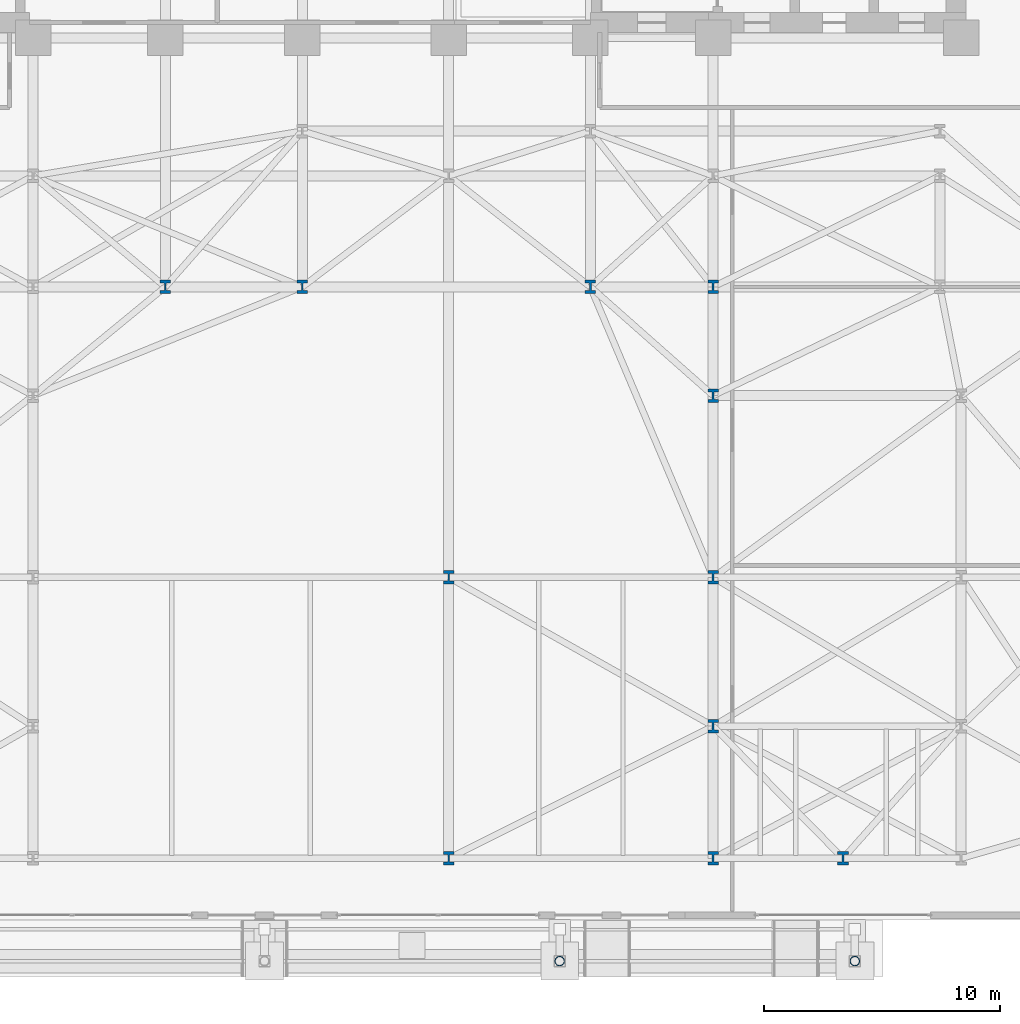
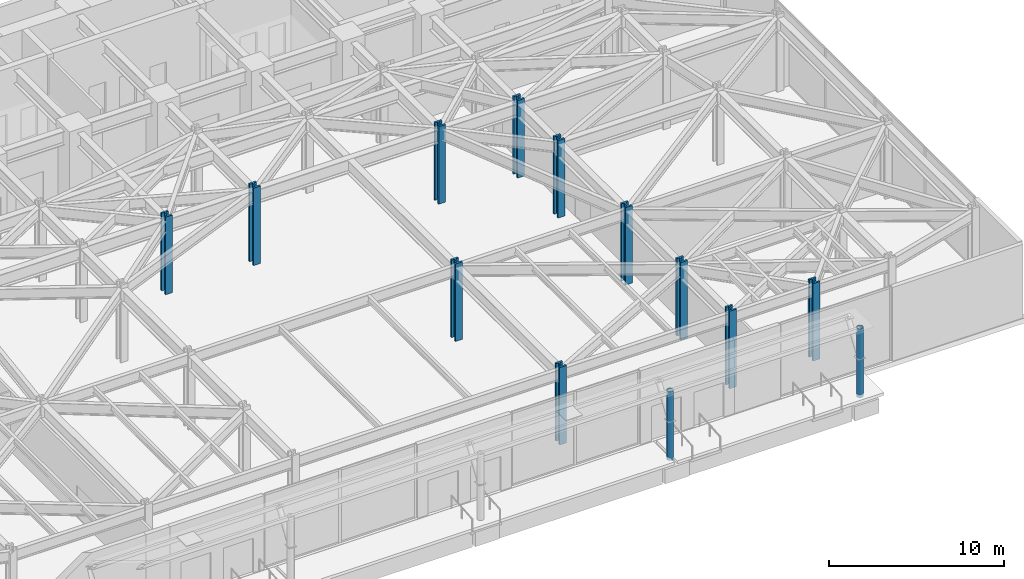
# One storey, part 3 of 31: 13 columns.
"""IFC4 building model written with IfcOpenShell, lengths in metres."""

from ifc_helpers import new_model, si_unit, direction, frame, origin, origin_2d, place, context, subcontext, project, spatial, hollow_circle, i_section, extrude, material, material_profile, profile_set, type_object, element, save


model = new_model("IFC4")

# Units and contexts
model_context = context("Model", 3, precision=1e-05, world=origin(), true_north=direction((0.0, 1.0)))
body_context = subcontext(model_context, "Body", "Model", "MODEL_VIEW")
ifc_project = project(units=[si_unit("LENGTHUNIT", "METRE"), si_unit("AREAUNIT", "SQUARE_METRE"), si_unit("VOLUMEUNIT", "CUBIC_METRE"), si_unit("PLANEANGLEUNIT", "RADIAN"), si_unit("MASSUNIT", "GRAM", prefix="KILO")], contexts=[model_context])

# Site, building, storey
site_placement = place(None, origin())
site = spatial("IfcSite", under=ifc_project, at=site_placement, CompositionType="ELEMENT")
building_placement = place(site_placement, origin())
building = spatial("IfcBuilding", under=site, at=building_placement, Name="Kravanh Interchange Tower", CompositionType="ELEMENT")
storey_placement = place(building_placement, origin())
storey = spatial("IfcBuildingStorey", under=building, at=storey_placement, Name="L00", CompositionType="ELEMENT", Elevation=0.0)

# Columns
ifc_material_1 = material(Name="Structural Steel S355", Category="steel")
ifc_material_profile_1 = material_profile(ifc_material_1, hollow_circle(Radius=0.202880859375, WallThickness=0.01611328125, at=origin_2d()), Name="CHS406X16")
ifc_profile_set_1 = profile_set([ifc_material_profile_1], Name="Structural Steel S355")
column_type_1 = type_object("IfcColumnType", Name="Column CHS406X16 Structural Steel S355", PredefinedType="COLUMN", material=ifc_profile_set_1)
for number, where, z_axis, x_axis, name in (
    (1, (49.5, -1.75, -0.199951171875), (0.0, 0.0, 1.0), (1.0, 0.0, 0.0), "Transit Canopy Column 5"),
    (2, (62.0, -1.75, -0.199951171875), (0.0, 0.0, 1.0), (1.0, 0.0, 0.0), "Transit Canopy Column 6"),
):
    element("IfcColumn", number, at=place(storey_placement, frame(where, z_axis=z_axis, x_axis=x_axis)), inside=storey, type_object=column_type_1, Name=name, PredefinedType="COLUMN", context=body_context, shape_type="SweptSolid", body=[
        extrude(hollow_circle(Radius=0.202880859375, WallThickness=0.01611328125, at=origin_2d()), origin(), (0.0, 0.0, 1.0), 4.800048828125),
    ])
ifc_material_2 = material(Name="Structural Steel S450", Category="steel")
ifc_material_profile_2 = material_profile(ifc_material_2, i_section(OverallWidth=0.4541015625, OverallDepth=0.569091796875, WebThickness=0.077880859375, FlangeThickness=0.124755859375, FilletRadius=0.030029296875, at=origin_2d()), Name="W14X730")
ifc_profile_set_2 = profile_set([ifc_material_profile_2], Name="Structural Steel S450")
column_type_2 = type_object("IfcColumnType", Name="Column W14X730 Structural Steel S450", PredefinedType="COLUMN", material=ifc_profile_set_2)
for number, where, z_axis, x_axis, name in (
    (3, (44.800048828125, 2.60009765625, 0.0), (0.0, 0.0, 1.0), (1.0, 0.0, 0.0), "L00 Column CP04"),
    (4, (56.0, 2.60009765625, 0.0), (0.0, 0.0, 1.0), (1.0, 0.0, 0.0), "L00 Column CP05"),
    (5, (61.5, 2.60009765625, 0.0), (0.0, 0.0, 1.0), (1.0, 0.0, 0.0), "L00 Column CP05B"),
    (6, (56.0, 8.199951171875, 0.0), (0.0, 0.0, 1.0), (1.0, 0.0, 0.0), "L00 Column CP06D"),
    (7, (44.800048828125, 14.5, 0.0), (0.0, 0.0, 1.0), (1.0, 0.0, 0.0), "L00 Column CP10"),
    (8, (56.0, 14.5, 0.0), (0.0, 0.0, 1.0), (1.0, 0.0, 0.0), "L00 Column CP11"),
    (9, (56.0, 22.199951171875, 0.0), (0.0, 0.0, 1.0), (1.0, 0.0, 0.0), "L00 Column CP12D"),
    (10, (32.800048828125, 26.800048828125, 0.0), (0.0, 0.0, 1.0), (1.0, 0.0, 0.0), "L00 Column CP16"),
    (11, (38.60009765625, 26.800048828125, 0.0), (0.0, 0.0, 1.0), (1.0, 0.0, 0.0), "L00 Column CP16B"),
    (12, (50.800048828125, 26.800048828125, 0.0), (0.0, 0.0, 1.0), (1.0, 0.0, 0.0), "L00 Column CP17"),
    (13, (56.0, 26.800048828125, 0.0), (0.0, 0.0, 1.0), (1.0, 0.0, 0.0), "L00 Column CP18"),
):
    element("IfcColumn", number, at=place(storey_placement, frame(where, z_axis=z_axis, x_axis=x_axis)), inside=storey, type_object=column_type_2, Name=name, PredefinedType="COLUMN", context=body_context, shape_type="SweptSolid", body=[
        extrude(i_section(OverallWidth=0.4541015625, OverallDepth=0.569091796875, WebThickness=0.077880859375, FlangeThickness=0.124755859375, FilletRadius=0.030029296875, at=origin_2d()), origin(), (0.0, 0.0, 1.0), 5.39990234375),
    ])

save(model, "model.ifc")
